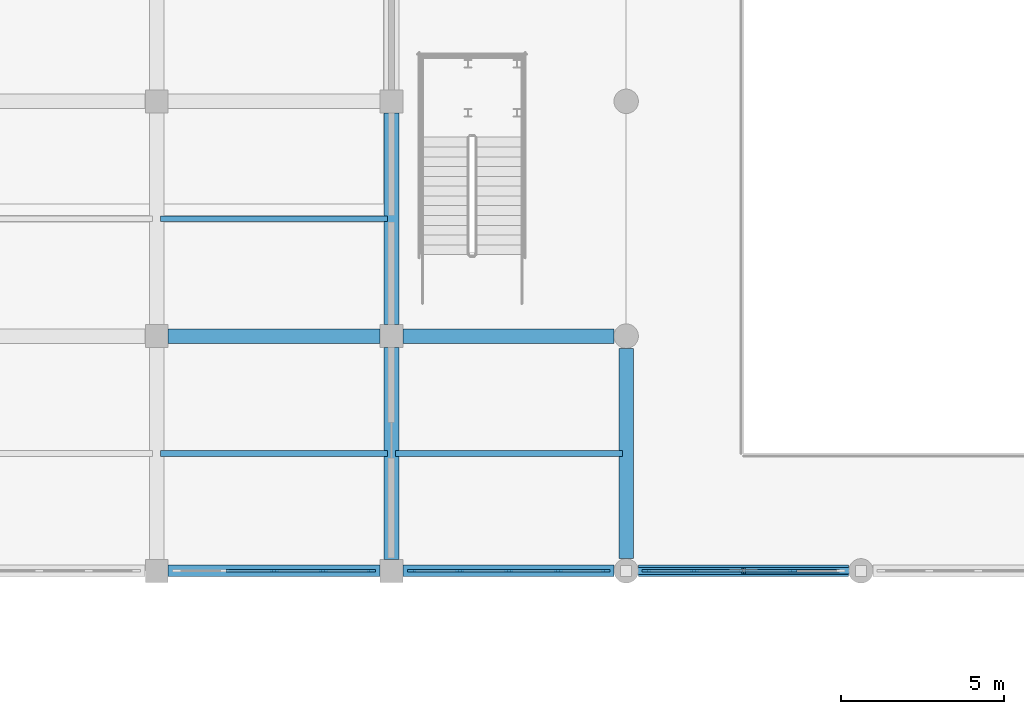
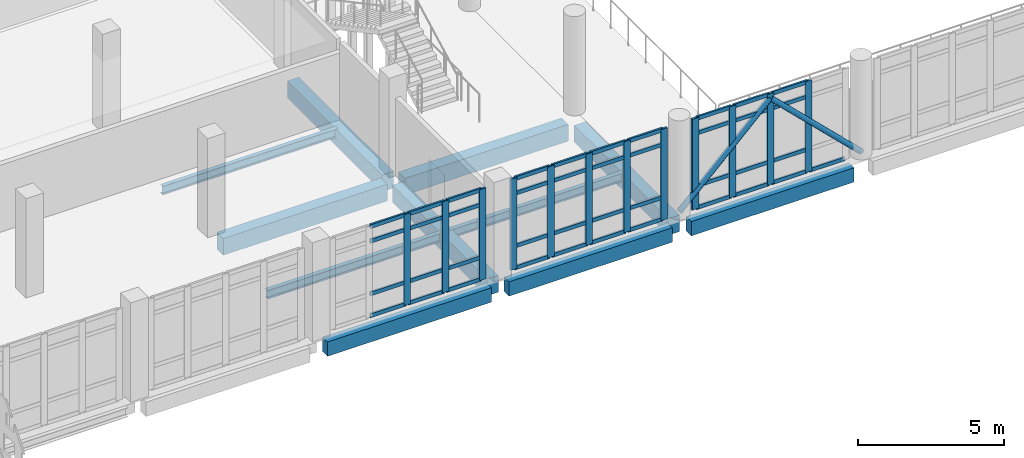
# One storey, part 9 of 57: 55 members, 11 beams, 3 elements without a shape of their own.
"""IFC4 building model written with IfcOpenShell, lengths in metres."""

from ifc_helpers import new_model, si_unit, direction, frame, origin, origin_2d, place, context, subcontext, project, spatial, rectangle, hollow_circle, i_section, extrude, material, layer, layer_set, material_profile, profile_set, type_object, element, aggregate, save


model = new_model("IFC4")

# Units and contexts
model_context = context("Model", 3, precision=1e-05, world=origin(), true_north=direction((0.0, 1.0)))
body_context = subcontext(model_context, "Body", "Model", "MODEL_VIEW")
ifc_project = project(units=[si_unit("LENGTHUNIT", "METRE"), si_unit("AREAUNIT", "SQUARE_METRE"), si_unit("VOLUMEUNIT", "CUBIC_METRE"), si_unit("PLANEANGLEUNIT", "RADIAN"), si_unit("MASSUNIT", "GRAM", prefix="KILO")], contexts=[model_context])

# Site, building, storey
site_placement = place(None, origin())
site = spatial("IfcSite", under=ifc_project, at=site_placement, CompositionType="ELEMENT")
building_placement = place(site_placement, origin())
building = spatial("IfcBuilding", under=site, at=building_placement, Name="Valkovuoma Quantum and Materials Research Institute", CompositionType="ELEMENT")
storey_placement = place(building_placement, frame((0.0, 0.0, 4.800048828125)))
storey = spatial("IfcBuildingStorey", under=building, at=storey_placement, Name="L01", CompositionType="ELEMENT", Elevation=4.800048828125)

# Beams
ifc_material_1 = material(Name="Steel S355J2", Category="steel")
ifc_material_profile_1 = material_profile(ifc_material_1, i_section(OverallWidth=0.169921875, OverallDepth=0.360107421875, WebThickness=0.008056640625, FlangeThickness=0.0126953125, FilletRadius=0.01806640625, at=origin_2d()), Name="Steel S355J2")
ifc_profile_set_1 = profile_set([ifc_material_profile_1], Name="Steel S355J2")
beam_type_1 = type_object("IfcBeamType", Name="Beam-B-JST360", PredefinedType="JOIST", material=ifc_profile_set_1)
for number, where, z_axis, x_axis, name in (
    (1, (28.919921875, 39.60009765625, -0.530029296875), (1.0, 0.0, 0.0), (0.0, 1.0, 0.0), "L01 floor joist 0874"),
    (2, (36.1201171875, 39.60009765625, -0.530029296875), (1.0, 0.0, 0.0), (0.0, 1.0, 0.0), "L01 floor joist 0875"),
    (3, (28.919921875, 46.800048828125, -0.530029296875), (1.0, 0.0, 0.0), (0.0, 1.0, 0.0), "L01 floor joist 0886"),
):
    element("IfcBeam", number, at=place(storey_placement, frame(where, z_axis=z_axis, x_axis=x_axis)), inside=storey, type_object=beam_type_1, Name=name, PredefinedType="JOIST", context=body_context, shape_type="SweptSolid", body=[
        extrude(i_section(OverallWidth=0.169921875, OverallDepth=0.360107421875, WebThickness=0.008056640625, FlangeThickness=0.0126953125, FilletRadius=0.01806640625, at=origin_2d()), origin(), (0.0, 0.0, 1.0), 6.9599609375),
    ])
ifc_material_2 = material(Name="Concrete C40/50", Category="concrete")
ifc_material_profile_2 = material_profile(ifc_material_2, rectangle(XDim=0.449951171875, YDim=0.699951171875, at=origin_2d()), Name="Concrete C40/50")
ifc_profile_set_2 = profile_set([ifc_material_profile_2], Name="Concrete C40/50")
beam_type_2 = type_object("IfcBeamType", Name="Beam-B-RC700", PredefinedType="BEAM", material=ifc_profile_set_2)
beam_1_placement = place(storey_placement, frame((29.14990234375, 43.199951171875, -0.699951171875), z_axis=(1.0, 0.0, 0.0), x_axis=(0.0, 1.0, 0.0)))
element("IfcBeam", 4, at=beam_1_placement, inside=storey, type_object=beam_type_2, Name="L01 beam X-0589", PredefinedType="BEAM", context=body_context, shape_type="SweptSolid", body=[
    extrude(rectangle(XDim=0.449951171875, YDim=0.699951171875, at=origin_2d()), origin(), (0.0, 0.0, 1.0), 6.5),
])
beam_2_placement = place(storey_placement, frame((36.35009765625, 43.199951171875, -0.699951171875), z_axis=(1.0, 0.0, 0.0), x_axis=(0.0, 1.0, 0.0)))
element("IfcBeam", 5, at=beam_2_placement, inside=storey, type_object=beam_type_2, Name="L01 beam X-0590", PredefinedType="BEAM", context=body_context, shape_type="SweptSolid", body=[
    extrude(rectangle(XDim=0.449951171875, YDim=0.699951171875, at=origin_2d()), origin(), (0.0, 0.0, 1.0), 6.474853515625),
])
for number, where, z_axis, x_axis, name in (
    (6, (36.0, 36.35009765625, -0.699951171875), (0.0, 1.0, 0.0), (-1.0, 0.0, 0.0), "L01 beam Y-0751"),
    (7, (36.0, 43.550048828125, -0.699951171875), (0.0, 1.0, 0.0), (-1.0, 0.0, 0.0), "L01 beam Y-0752"),
):
    element("IfcBeam", number, at=place(storey_placement, frame(where, z_axis=z_axis, x_axis=x_axis)), inside=storey, type_object=beam_type_2, Name=name, PredefinedType="BEAM", context=body_context, shape_type="SweptSolid", body=[
        extrude(rectangle(XDim=0.449951171875, YDim=0.699951171875, at=origin_2d()), origin(), (0.0, 0.0, 1.0), 6.5),
    ])
beam_3_placement = place(storey_placement, frame((43.199951171875, 36.375, -0.699951171875), z_axis=(0.0, 1.0, 0.0), x_axis=(-1.0, 0.0, 0.0)))
element("IfcBeam", 8, at=beam_3_placement, inside=storey, type_object=beam_type_2, Name="L01 beam Y-0761", PredefinedType="BEAM", context=body_context, shape_type="SweptSolid", body=[
    extrude(rectangle(XDim=0.449951171875, YDim=0.699951171875, at=origin_2d()), origin(), (0.0, 0.0, 1.0), 6.449951171875),
])
ifc_material_3 = material(Name="Concrete C40/50", Category="concrete")
ifc_material_profile_3 = material_profile(ifc_material_3, rectangle(XDim=0.35009765625, YDim=0.60009765625, at=origin_2d()), Name="Concrete C40/50")
ifc_profile_set_3 = profile_set([ifc_material_profile_3], Name="Concrete C40/50")
beam_type_3 = type_object("IfcBeamType", Name="Beam-B-SPN600", PredefinedType="SPANDREL", material=ifc_profile_set_3)
beam_4_placement = place(storey_placement, frame((29.14990234375, 36.0, -0.650146484375), z_axis=(1.0, 0.0, 0.0), x_axis=(0.0, 1.0, 0.0)))
element("IfcBeam", 9, at=beam_4_placement, inside=storey, type_object=beam_type_3, Name="L01 beam X-0566", PredefinedType="SPANDREL", context=body_context, shape_type="SweptSolid", body=[
    extrude(rectangle(XDim=0.35009765625, YDim=0.60009765625, at=origin_2d()), origin(), (0.0, 0.0, 1.0), 6.5),
])
beam_5_placement = place(storey_placement, frame((36.35009765625, 36.0, -0.650146484375), z_axis=(1.0, 0.0, 0.0), x_axis=(0.0, 1.0, 0.0)))
element("IfcBeam", 10, at=beam_5_placement, inside=storey, type_object=beam_type_3, Name="L01 beam X-0567", PredefinedType="SPANDREL", context=body_context, shape_type="SweptSolid", body=[
    extrude(rectangle(XDim=0.35009765625, YDim=0.60009765625, at=origin_2d()), origin(), (0.0, 0.0, 1.0), 6.474853515625),
])
beam_6_placement = place(storey_placement, frame((43.574951171875, 36.0, -0.650146484375), z_axis=(1.0, 0.0, 0.0), x_axis=(0.0, 1.0, 0.0)))
element("IfcBeam", 11, at=beam_6_placement, inside=storey, type_object=beam_type_3, Name="L01 beam X-0568", PredefinedType="SPANDREL", context=body_context, shape_type="SweptSolid", body=[
    extrude(rectangle(XDim=0.35009765625, YDim=0.60009765625, at=origin_2d()), origin(), (0.0, 0.0, 1.0), 6.449951171875),
])

# Curtain wall, members
ifc_material_4 = material(Name="Thermally broken aluminium and triple low-E glazing", Category="aluminium")
ifc_layer = layer(ifc_material_4, 0.219970703125)
ifc_layer_set = layer_set([ifc_layer], Name="Thermally broken aluminium and triple low-E glazing")
curtain_wall_type = type_object("IfcCurtainWallType", Name="CW-CW-02", PredefinedType="NOTDEFINED", material=ifc_layer_set)
curtain_wall_1_placement = place(storey_placement, origin())
curtain_wall_1 = element("IfcCurtainWall", 12, at=curtain_wall_1_placement, inside=storey, type_object=curtain_wall_type, Name="L01 curtain wall 161", PredefinedType="NOTDEFINED")
ifc_material_5 = material(Name="Anodised aluminium 6060-T66", Category="aluminium")
ifc_material_profile_4 = material_profile(ifc_material_5, rectangle(XDim=0.080078125, YDim=0.260009765625, at=origin_2d()), Name="Anodised aluminium 6060-T66")
ifc_profile_set_4 = profile_set([ifc_material_profile_4], Name="Anodised aluminium 6060-T66")
member_type_1 = type_object("IfcMemberType", Name="CWMull-CWM-03", PredefinedType="MULLION", material=ifc_profile_set_4)
member_1_placement = place(storey_placement, frame((32.39990234375, 36.0, 0.0), z_axis=(0.0, 0.0, 1.0), x_axis=(0.0, 1.0, 0.0)))
member_1 = element("IfcMember", 13, at=member_1_placement, type_object=member_type_1, Name="CW-02 mullion 3", PredefinedType="MULLION", context=body_context, shape_type="SweptSolid", body=[
    extrude(rectangle(XDim=0.080078125, YDim=0.260009765625, at=origin_2d()), origin(), (0.0, 0.0, 1.0), 3.81005859375),
])
member_2_placement = place(storey_placement, frame((33.909912109375, 36.0, 0.0), z_axis=(0.0, 0.0, 1.0), x_axis=(0.0, 1.0, 0.0)))
member_2 = element("IfcMember", 14, at=member_2_placement, type_object=member_type_1, Name="CW-02 mullion 4", PredefinedType="MULLION", context=body_context, shape_type="SweptSolid", body=[
    extrude(rectangle(XDim=0.080078125, YDim=0.260009765625, at=origin_2d()), origin(), (0.0, 0.0, 1.0), 3.81005859375),
])
member_3_placement = place(storey_placement, frame((35.3798828125, 36.0, 0.0), z_axis=(0.0, 0.0, 1.0), x_axis=(0.0, 1.0, 0.0)))
member_3 = element("IfcMember", 15, at=member_3_placement, type_object=member_type_1, Name="CW-02 mullion 5", PredefinedType="MULLION", context=body_context, shape_type="SweptSolid", body=[
    extrude(rectangle(XDim=0.080078125, YDim=0.260009765625, at=origin_2d()), origin(), (0.0, 0.0, 1.0), 3.81005859375),
])

curtain_wall_2_placement = place(storey_placement, origin())
curtain_wall_2 = element("IfcCurtainWall", 16, at=curtain_wall_2_placement, inside=storey, type_object=curtain_wall_type, Name="L01 curtain wall 162", PredefinedType="NOTDEFINED")
member_4_placement = place(storey_placement, frame((36.6201171875, 36.0, 0.0), z_axis=(0.0, 0.0, 1.0), x_axis=(0.0, 1.0, 0.0)))
member_4 = element("IfcMember", 17, at=member_4_placement, type_object=member_type_1, Name="CW-02 mullion 1", PredefinedType="MULLION", context=body_context, shape_type="SweptSolid", body=[
    extrude(rectangle(XDim=0.080078125, YDim=0.260009765625, at=origin_2d()), origin(), (0.0, 0.0, 1.0), 3.81005859375),
])
member_5_placement = place(storey_placement, frame((38.090087890625, 36.0, 0.0), z_axis=(0.0, 0.0, 1.0), x_axis=(0.0, 1.0, 0.0)))
member_5 = element("IfcMember", 18, at=member_5_placement, type_object=member_type_1, Name="CW-02 mullion 2", PredefinedType="MULLION", context=body_context, shape_type="SweptSolid", body=[
    extrude(rectangle(XDim=0.080078125, YDim=0.260009765625, at=origin_2d()), origin(), (0.0, 0.0, 1.0), 3.81005859375),
])
member_6_placement = place(storey_placement, frame((39.60009765625, 36.0, 0.0), z_axis=(0.0, 0.0, 1.0), x_axis=(0.0, 1.0, 0.0)))
member_6 = element("IfcMember", 19, at=member_6_placement, type_object=member_type_1, Name="CW-02 mullion 3", PredefinedType="MULLION", context=body_context, shape_type="SweptSolid", body=[
    extrude(rectangle(XDim=0.080078125, YDim=0.260009765625, at=origin_2d()), origin(), (0.0, 0.0, 1.0), 3.81005859375),
])
member_7_placement = place(storey_placement, frame((41.110107421875, 36.0, 0.0), z_axis=(0.0, 0.0, 1.0), x_axis=(0.0, 1.0, 0.0)))
member_7 = element("IfcMember", 20, at=member_7_placement, type_object=member_type_1, Name="CW-02 mullion 4", PredefinedType="MULLION", context=body_context, shape_type="SweptSolid", body=[
    extrude(rectangle(XDim=0.080078125, YDim=0.260009765625, at=origin_2d()), origin(), (0.0, 0.0, 1.0), 3.81005859375),
])
member_8_placement = place(storey_placement, frame((42.580078125, 36.0, 0.0), z_axis=(0.0, 0.0, 1.0), x_axis=(0.0, 1.0, 0.0)))
member_8 = element("IfcMember", 21, at=member_8_placement, type_object=member_type_1, Name="CW-02 mullion 5", PredefinedType="MULLION", context=body_context, shape_type="SweptSolid", body=[
    extrude(rectangle(XDim=0.080078125, YDim=0.260009765625, at=origin_2d()), origin(), (0.0, 0.0, 1.0), 3.81005859375),
])

curtain_wall_3_placement = place(storey_placement, origin())
curtain_wall_3 = element("IfcCurtainWall", 22, at=curtain_wall_3_placement, inside=storey, type_object=curtain_wall_type, Name="L01 curtain wall 163", PredefinedType="NOTDEFINED")
member_9_placement = place(storey_placement, frame((43.820068359375, 36.0, 0.0), z_axis=(0.0, 0.0, 1.0), x_axis=(0.0, 1.0, 0.0)))
member_9 = element("IfcMember", 23, at=member_9_placement, type_object=member_type_1, Name="CW-02 mullion 1", PredefinedType="MULLION", context=body_context, shape_type="SweptSolid", body=[
    extrude(rectangle(XDim=0.080078125, YDim=0.260009765625, at=origin_2d()), origin(), (0.0, 0.0, 1.0), 3.81005859375),
])
member_10_placement = place(storey_placement, frame((45.2900390625, 36.0, 0.0), z_axis=(0.0, 0.0, 1.0), x_axis=(0.0, 1.0, 0.0)))
member_10 = element("IfcMember", 24, at=member_10_placement, type_object=member_type_1, Name="CW-02 mullion 2", PredefinedType="MULLION", context=body_context, shape_type="SweptSolid", body=[
    extrude(rectangle(XDim=0.080078125, YDim=0.260009765625, at=origin_2d()), origin(), (0.0, 0.0, 1.0), 3.81005859375),
])
member_11_placement = place(storey_placement, frame((46.800048828125, 36.0, 0.0), z_axis=(0.0, 0.0, 1.0), x_axis=(0.0, 1.0, 0.0)))
member_11 = element("IfcMember", 25, at=member_11_placement, type_object=member_type_1, Name="CW-02 mullion 3", PredefinedType="MULLION", context=body_context, shape_type="SweptSolid", body=[
    extrude(rectangle(XDim=0.080078125, YDim=0.260009765625, at=origin_2d()), origin(), (0.0, 0.0, 1.0), 3.81005859375),
])
member_12_placement = place(storey_placement, frame((48.31005859375, 36.0, 0.0), z_axis=(0.0, 0.0, 1.0), x_axis=(0.0, 1.0, 0.0)))
member_12 = element("IfcMember", 26, at=member_12_placement, type_object=member_type_1, Name="CW-02 mullion 4", PredefinedType="MULLION", context=body_context, shape_type="SweptSolid", body=[
    extrude(rectangle(XDim=0.080078125, YDim=0.260009765625, at=origin_2d()), origin(), (0.0, 0.0, 1.0), 3.81005859375),
])

# Member
ifc_material_6 = material(Name="Anodised aluminium 6060-T66", Category="aluminium")
ifc_material_profile_5 = material_profile(ifc_material_6, rectangle(XDim=0.074951171875, YDim=0.159912109375, at=origin_2d()), Name="Anodised aluminium 6060-T66")
ifc_profile_set_5 = profile_set([ifc_material_profile_5], Name="Anodised aluminium 6060-T66")
member_type_2 = type_object("IfcMemberType", Name="CWTran-CWT-02", PredefinedType="USERDEFINED", material=ifc_profile_set_5)
member_13_placement = place(storey_placement, frame((30.929931640625, 36.0, 0.037353515625), z_axis=(1.0, 0.0, 0.0), x_axis=(0.0, 1.0, 0.0)))
member_13 = element("IfcMember", 27, at=member_13_placement, type_object=member_type_2, Name="CW-02 transom 2.1", ObjectType="TRANSOM", PredefinedType="USERDEFINED", context=body_context, shape_type="SweptSolid", body=[
    extrude(rectangle(XDim=0.074951171875, YDim=0.159912109375, at=origin_2d()), origin(), (0.0, 0.0, 1.0), 1.43017578125),
])

member_14_placement = place(storey_placement, frame((30.929931640625, 36.0, 0.949951171875), z_axis=(1.0, 0.0, 0.0), x_axis=(0.0, 1.0, 0.0)))
member_14 = element("IfcMember", 28, at=member_14_placement, type_object=member_type_2, Name="CW-02 transom 2.2", ObjectType="TRANSOM", PredefinedType="USERDEFINED", context=body_context, shape_type="SweptSolid", body=[
    extrude(rectangle(XDim=0.074951171875, YDim=0.159912109375, at=origin_2d()), origin(), (0.0, 0.0, 1.0), 1.43017578125),
])

member_15_placement = place(storey_placement, frame((30.929931640625, 36.0, 3.159912109375), z_axis=(1.0, 0.0, 0.0), x_axis=(0.0, 1.0, 0.0)))
member_15 = element("IfcMember", 29, at=member_15_placement, type_object=member_type_2, Name="CW-02 transom 2.3", ObjectType="TRANSOM", PredefinedType="USERDEFINED", context=body_context, shape_type="SweptSolid", body=[
    extrude(rectangle(XDim=0.074951171875, YDim=0.159912109375, at=origin_2d()), origin(), (0.0, 0.0, 1.0), 1.43017578125),
])

member_16_placement = place(storey_placement, frame((30.929931640625, 36.0, 3.7724609375), z_axis=(1.0, 0.0, 0.0), x_axis=(0.0, 1.0, 0.0)))
member_16 = element("IfcMember", 30, at=member_16_placement, type_object=member_type_2, Name="CW-02 transom 2.4", ObjectType="TRANSOM", PredefinedType="USERDEFINED", context=body_context, shape_type="SweptSolid", body=[
    extrude(rectangle(XDim=0.074951171875, YDim=0.159912109375, at=origin_2d()), origin(), (0.0, 0.0, 1.0), 1.43017578125),
])

member_17_placement = place(storey_placement, frame((32.43994140625, 36.0, 0.037353515625), z_axis=(1.0, 0.0, 0.0), x_axis=(0.0, 1.0, 0.0)))
member_17 = element("IfcMember", 31, at=member_17_placement, type_object=member_type_2, Name="CW-02 transom 3.1", ObjectType="TRANSOM", PredefinedType="USERDEFINED", context=body_context, shape_type="SweptSolid", body=[
    extrude(rectangle(XDim=0.074951171875, YDim=0.159912109375, at=origin_2d()), origin(), (0.0, 0.0, 1.0), 1.43017578125),
])

member_18_placement = place(storey_placement, frame((32.43994140625, 36.0, 0.949951171875), z_axis=(1.0, 0.0, 0.0), x_axis=(0.0, 1.0, 0.0)))
member_18 = element("IfcMember", 32, at=member_18_placement, type_object=member_type_2, Name="CW-02 transom 3.2", ObjectType="TRANSOM", PredefinedType="USERDEFINED", context=body_context, shape_type="SweptSolid", body=[
    extrude(rectangle(XDim=0.074951171875, YDim=0.159912109375, at=origin_2d()), origin(), (0.0, 0.0, 1.0), 1.43017578125),
])

member_19_placement = place(storey_placement, frame((32.43994140625, 36.0, 3.159912109375), z_axis=(1.0, 0.0, 0.0), x_axis=(0.0, 1.0, 0.0)))
member_19 = element("IfcMember", 33, at=member_19_placement, type_object=member_type_2, Name="CW-02 transom 3.3", ObjectType="TRANSOM", PredefinedType="USERDEFINED", context=body_context, shape_type="SweptSolid", body=[
    extrude(rectangle(XDim=0.074951171875, YDim=0.159912109375, at=origin_2d()), origin(), (0.0, 0.0, 1.0), 1.43017578125),
])

member_20_placement = place(storey_placement, frame((32.43994140625, 36.0, 3.7724609375), z_axis=(1.0, 0.0, 0.0), x_axis=(0.0, 1.0, 0.0)))
member_20 = element("IfcMember", 34, at=member_20_placement, type_object=member_type_2, Name="CW-02 transom 3.4", ObjectType="TRANSOM", PredefinedType="USERDEFINED", context=body_context, shape_type="SweptSolid", body=[
    extrude(rectangle(XDim=0.074951171875, YDim=0.159912109375, at=origin_2d()), origin(), (0.0, 0.0, 1.0), 1.43017578125),
])

member_21_placement = place(storey_placement, frame((33.949951171875, 36.0, 0.037353515625), z_axis=(1.0, 0.0, 0.0), x_axis=(0.0, 1.0, 0.0)))
member_21 = element("IfcMember", 35, at=member_21_placement, type_object=member_type_2, Name="CW-02 transom 4.1", ObjectType="TRANSOM", PredefinedType="USERDEFINED", context=body_context, shape_type="SweptSolid", body=[
    extrude(rectangle(XDim=0.074951171875, YDim=0.159912109375, at=origin_2d()), origin(), (0.0, 0.0, 1.0), 1.39013671875),
])

member_22_placement = place(storey_placement, frame((33.949951171875, 36.0, 0.949951171875), z_axis=(1.0, 0.0, 0.0), x_axis=(0.0, 1.0, 0.0)))
member_22 = element("IfcMember", 36, at=member_22_placement, type_object=member_type_2, Name="CW-02 transom 4.2", ObjectType="TRANSOM", PredefinedType="USERDEFINED", context=body_context, shape_type="SweptSolid", body=[
    extrude(rectangle(XDim=0.074951171875, YDim=0.159912109375, at=origin_2d()), origin(), (0.0, 0.0, 1.0), 1.39013671875),
])

member_23_placement = place(storey_placement, frame((33.949951171875, 36.0, 3.159912109375), z_axis=(1.0, 0.0, 0.0), x_axis=(0.0, 1.0, 0.0)))
member_23 = element("IfcMember", 37, at=member_23_placement, type_object=member_type_2, Name="CW-02 transom 4.3", ObjectType="TRANSOM", PredefinedType="USERDEFINED", context=body_context, shape_type="SweptSolid", body=[
    extrude(rectangle(XDim=0.074951171875, YDim=0.159912109375, at=origin_2d()), origin(), (0.0, 0.0, 1.0), 1.39013671875),
])

member_24_placement = place(storey_placement, frame((33.949951171875, 36.0, 3.7724609375), z_axis=(1.0, 0.0, 0.0), x_axis=(0.0, 1.0, 0.0)))
member_24 = element("IfcMember", 38, at=member_24_placement, type_object=member_type_2, Name="CW-02 transom 4.4", ObjectType="TRANSOM", PredefinedType="USERDEFINED", context=body_context, shape_type="SweptSolid", body=[
    extrude(rectangle(XDim=0.074951171875, YDim=0.159912109375, at=origin_2d()), origin(), (0.0, 0.0, 1.0), 1.39013671875),
])

aggregate(curtain_wall_1, [member_1, member_2, member_3, member_13, member_14, member_15, member_16, member_17, member_18, member_19, member_20, member_21, member_22, member_23, member_24])

member_25_placement = place(storey_placement, frame((36.659912109375, 36.0, 0.037353515625), z_axis=(1.0, 0.0, 0.0), x_axis=(0.0, 1.0, 0.0)))
member_25 = element("IfcMember", 39, at=member_25_placement, type_object=member_type_2, Name="CW-02 transom 1.1", ObjectType="TRANSOM", PredefinedType="USERDEFINED", context=body_context, shape_type="SweptSolid", body=[
    extrude(rectangle(XDim=0.074951171875, YDim=0.159912109375, at=origin_2d()), origin(), (0.0, 0.0, 1.0), 1.39013671875),
])

member_26_placement = place(storey_placement, frame((36.659912109375, 36.0, 0.949951171875), z_axis=(1.0, 0.0, 0.0), x_axis=(0.0, 1.0, 0.0)))
member_26 = element("IfcMember", 40, at=member_26_placement, type_object=member_type_2, Name="CW-02 transom 1.2", ObjectType="TRANSOM", PredefinedType="USERDEFINED", context=body_context, shape_type="SweptSolid", body=[
    extrude(rectangle(XDim=0.074951171875, YDim=0.159912109375, at=origin_2d()), origin(), (0.0, 0.0, 1.0), 1.39013671875),
])

member_27_placement = place(storey_placement, frame((36.659912109375, 36.0, 3.159912109375), z_axis=(1.0, 0.0, 0.0), x_axis=(0.0, 1.0, 0.0)))
member_27 = element("IfcMember", 41, at=member_27_placement, type_object=member_type_2, Name="CW-02 transom 1.3", ObjectType="TRANSOM", PredefinedType="USERDEFINED", context=body_context, shape_type="SweptSolid", body=[
    extrude(rectangle(XDim=0.074951171875, YDim=0.159912109375, at=origin_2d()), origin(), (0.0, 0.0, 1.0), 1.39013671875),
])

member_28_placement = place(storey_placement, frame((36.659912109375, 36.0, 3.7724609375), z_axis=(1.0, 0.0, 0.0), x_axis=(0.0, 1.0, 0.0)))
member_28 = element("IfcMember", 42, at=member_28_placement, type_object=member_type_2, Name="CW-02 transom 1.4", ObjectType="TRANSOM", PredefinedType="USERDEFINED", context=body_context, shape_type="SweptSolid", body=[
    extrude(rectangle(XDim=0.074951171875, YDim=0.159912109375, at=origin_2d()), origin(), (0.0, 0.0, 1.0), 1.39013671875),
])

member_29_placement = place(storey_placement, frame((38.1298828125, 36.0, 0.037353515625), z_axis=(1.0, 0.0, 0.0), x_axis=(0.0, 1.0, 0.0)))
member_29 = element("IfcMember", 43, at=member_29_placement, type_object=member_type_2, Name="CW-02 transom 2.1", ObjectType="TRANSOM", PredefinedType="USERDEFINED", context=body_context, shape_type="SweptSolid", body=[
    extrude(rectangle(XDim=0.074951171875, YDim=0.159912109375, at=origin_2d()), origin(), (0.0, 0.0, 1.0), 1.43017578125),
])

member_30_placement = place(storey_placement, frame((38.1298828125, 36.0, 0.949951171875), z_axis=(1.0, 0.0, 0.0), x_axis=(0.0, 1.0, 0.0)))
member_30 = element("IfcMember", 44, at=member_30_placement, type_object=member_type_2, Name="CW-02 transom 2.2", ObjectType="TRANSOM", PredefinedType="USERDEFINED", context=body_context, shape_type="SweptSolid", body=[
    extrude(rectangle(XDim=0.074951171875, YDim=0.159912109375, at=origin_2d()), origin(), (0.0, 0.0, 1.0), 1.43017578125),
])

member_31_placement = place(storey_placement, frame((38.1298828125, 36.0, 3.159912109375), z_axis=(1.0, 0.0, 0.0), x_axis=(0.0, 1.0, 0.0)))
member_31 = element("IfcMember", 45, at=member_31_placement, type_object=member_type_2, Name="CW-02 transom 2.3", ObjectType="TRANSOM", PredefinedType="USERDEFINED", context=body_context, shape_type="SweptSolid", body=[
    extrude(rectangle(XDim=0.074951171875, YDim=0.159912109375, at=origin_2d()), origin(), (0.0, 0.0, 1.0), 1.43017578125),
])

member_32_placement = place(storey_placement, frame((38.1298828125, 36.0, 3.7724609375), z_axis=(1.0, 0.0, 0.0), x_axis=(0.0, 1.0, 0.0)))
member_32 = element("IfcMember", 46, at=member_32_placement, type_object=member_type_2, Name="CW-02 transom 2.4", ObjectType="TRANSOM", PredefinedType="USERDEFINED", context=body_context, shape_type="SweptSolid", body=[
    extrude(rectangle(XDim=0.074951171875, YDim=0.159912109375, at=origin_2d()), origin(), (0.0, 0.0, 1.0), 1.43017578125),
])

member_33_placement = place(storey_placement, frame((39.639892578125, 36.0, 0.037353515625), z_axis=(1.0, 0.0, 0.0), x_axis=(0.0, 1.0, 0.0)))
member_33 = element("IfcMember", 47, at=member_33_placement, type_object=member_type_2, Name="CW-02 transom 3.1", ObjectType="TRANSOM", PredefinedType="USERDEFINED", context=body_context, shape_type="SweptSolid", body=[
    extrude(rectangle(XDim=0.074951171875, YDim=0.159912109375, at=origin_2d()), origin(), (0.0, 0.0, 1.0), 1.43017578125),
])

member_34_placement = place(storey_placement, frame((39.639892578125, 36.0, 0.949951171875), z_axis=(1.0, 0.0, 0.0), x_axis=(0.0, 1.0, 0.0)))
member_34 = element("IfcMember", 48, at=member_34_placement, type_object=member_type_2, Name="CW-02 transom 3.2", ObjectType="TRANSOM", PredefinedType="USERDEFINED", context=body_context, shape_type="SweptSolid", body=[
    extrude(rectangle(XDim=0.074951171875, YDim=0.159912109375, at=origin_2d()), origin(), (0.0, 0.0, 1.0), 1.43017578125),
])

member_35_placement = place(storey_placement, frame((39.639892578125, 36.0, 3.159912109375), z_axis=(1.0, 0.0, 0.0), x_axis=(0.0, 1.0, 0.0)))
member_35 = element("IfcMember", 49, at=member_35_placement, type_object=member_type_2, Name="CW-02 transom 3.3", ObjectType="TRANSOM", PredefinedType="USERDEFINED", context=body_context, shape_type="SweptSolid", body=[
    extrude(rectangle(XDim=0.074951171875, YDim=0.159912109375, at=origin_2d()), origin(), (0.0, 0.0, 1.0), 1.43017578125),
])

member_36_placement = place(storey_placement, frame((39.639892578125, 36.0, 3.7724609375), z_axis=(1.0, 0.0, 0.0), x_axis=(0.0, 1.0, 0.0)))
member_36 = element("IfcMember", 50, at=member_36_placement, type_object=member_type_2, Name="CW-02 transom 3.4", ObjectType="TRANSOM", PredefinedType="USERDEFINED", context=body_context, shape_type="SweptSolid", body=[
    extrude(rectangle(XDim=0.074951171875, YDim=0.159912109375, at=origin_2d()), origin(), (0.0, 0.0, 1.0), 1.43017578125),
])

member_37_placement = place(storey_placement, frame((41.14990234375, 36.0, 0.037353515625), z_axis=(1.0, 0.0, 0.0), x_axis=(0.0, 1.0, 0.0)))
member_37 = element("IfcMember", 51, at=member_37_placement, type_object=member_type_2, Name="CW-02 transom 4.1", ObjectType="TRANSOM", PredefinedType="USERDEFINED", context=body_context, shape_type="SweptSolid", body=[
    extrude(rectangle(XDim=0.074951171875, YDim=0.159912109375, at=origin_2d()), origin(), (0.0, 0.0, 1.0), 1.39013671875),
])

member_38_placement = place(storey_placement, frame((41.14990234375, 36.0, 0.949951171875), z_axis=(1.0, 0.0, 0.0), x_axis=(0.0, 1.0, 0.0)))
member_38 = element("IfcMember", 52, at=member_38_placement, type_object=member_type_2, Name="CW-02 transom 4.2", ObjectType="TRANSOM", PredefinedType="USERDEFINED", context=body_context, shape_type="SweptSolid", body=[
    extrude(rectangle(XDim=0.074951171875, YDim=0.159912109375, at=origin_2d()), origin(), (0.0, 0.0, 1.0), 1.39013671875),
])

member_39_placement = place(storey_placement, frame((41.14990234375, 36.0, 3.159912109375), z_axis=(1.0, 0.0, 0.0), x_axis=(0.0, 1.0, 0.0)))
member_39 = element("IfcMember", 53, at=member_39_placement, type_object=member_type_2, Name="CW-02 transom 4.3", ObjectType="TRANSOM", PredefinedType="USERDEFINED", context=body_context, shape_type="SweptSolid", body=[
    extrude(rectangle(XDim=0.074951171875, YDim=0.159912109375, at=origin_2d()), origin(), (0.0, 0.0, 1.0), 1.39013671875),
])

member_40_placement = place(storey_placement, frame((41.14990234375, 36.0, 3.7724609375), z_axis=(1.0, 0.0, 0.0), x_axis=(0.0, 1.0, 0.0)))
member_40 = element("IfcMember", 54, at=member_40_placement, type_object=member_type_2, Name="CW-02 transom 4.4", ObjectType="TRANSOM", PredefinedType="USERDEFINED", context=body_context, shape_type="SweptSolid", body=[
    extrude(rectangle(XDim=0.074951171875, YDim=0.159912109375, at=origin_2d()), origin(), (0.0, 0.0, 1.0), 1.39013671875),
])

aggregate(curtain_wall_2, [member_4, member_5, member_6, member_7, member_8, member_25, member_26, member_27, member_28, member_29, member_30, member_31, member_32, member_33, member_34, member_35, member_36, member_37, member_38, member_39, member_40])

member_41_placement = place(storey_placement, frame((43.860107421875, 36.0, 0.037353515625), z_axis=(1.0, 0.0, 0.0), x_axis=(0.0, 1.0, 0.0)))
member_41 = element("IfcMember", 55, at=member_41_placement, type_object=member_type_2, Name="CW-02 transom 1.1", ObjectType="TRANSOM", PredefinedType="USERDEFINED", context=body_context, shape_type="SweptSolid", body=[
    extrude(rectangle(XDim=0.074951171875, YDim=0.159912109375, at=origin_2d()), origin(), (0.0, 0.0, 1.0), 1.389892578125),
])

member_42_placement = place(storey_placement, frame((43.860107421875, 36.0, 0.949951171875), z_axis=(1.0, 0.0, 0.0), x_axis=(0.0, 1.0, 0.0)))
member_42 = element("IfcMember", 56, at=member_42_placement, type_object=member_type_2, Name="CW-02 transom 1.2", ObjectType="TRANSOM", PredefinedType="USERDEFINED", context=body_context, shape_type="SweptSolid", body=[
    extrude(rectangle(XDim=0.074951171875, YDim=0.159912109375, at=origin_2d()), origin(), (0.0, 0.0, 1.0), 1.389892578125),
])

member_43_placement = place(storey_placement, frame((43.860107421875, 36.0, 3.159912109375), z_axis=(1.0, 0.0, 0.0), x_axis=(0.0, 1.0, 0.0)))
member_43 = element("IfcMember", 57, at=member_43_placement, type_object=member_type_2, Name="CW-02 transom 1.3", ObjectType="TRANSOM", PredefinedType="USERDEFINED", context=body_context, shape_type="SweptSolid", body=[
    extrude(rectangle(XDim=0.074951171875, YDim=0.159912109375, at=origin_2d()), origin(), (0.0, 0.0, 1.0), 1.389892578125),
])

member_44_placement = place(storey_placement, frame((43.860107421875, 36.0, 3.7724609375), z_axis=(1.0, 0.0, 0.0), x_axis=(0.0, 1.0, 0.0)))
member_44 = element("IfcMember", 58, at=member_44_placement, type_object=member_type_2, Name="CW-02 transom 1.4", ObjectType="TRANSOM", PredefinedType="USERDEFINED", context=body_context, shape_type="SweptSolid", body=[
    extrude(rectangle(XDim=0.074951171875, YDim=0.159912109375, at=origin_2d()), origin(), (0.0, 0.0, 1.0), 1.389892578125),
])

member_45_placement = place(storey_placement, frame((45.330078125, 36.0, 0.037353515625), z_axis=(1.0, 0.0, 0.0), x_axis=(0.0, 1.0, 0.0)))
member_45 = element("IfcMember", 59, at=member_45_placement, type_object=member_type_2, Name="CW-02 transom 2.1", ObjectType="TRANSOM", PredefinedType="USERDEFINED", context=body_context, shape_type="SweptSolid", body=[
    extrude(rectangle(XDim=0.074951171875, YDim=0.159912109375, at=origin_2d()), origin(), (0.0, 0.0, 1.0), 1.429931640625),
])

member_46_placement = place(storey_placement, frame((45.330078125, 36.0, 0.949951171875), z_axis=(1.0, 0.0, 0.0), x_axis=(0.0, 1.0, 0.0)))
member_46 = element("IfcMember", 60, at=member_46_placement, type_object=member_type_2, Name="CW-02 transom 2.2", ObjectType="TRANSOM", PredefinedType="USERDEFINED", context=body_context, shape_type="SweptSolid", body=[
    extrude(rectangle(XDim=0.074951171875, YDim=0.159912109375, at=origin_2d()), origin(), (0.0, 0.0, 1.0), 1.429931640625),
])

member_47_placement = place(storey_placement, frame((45.330078125, 36.0, 3.159912109375), z_axis=(1.0, 0.0, 0.0), x_axis=(0.0, 1.0, 0.0)))
member_47 = element("IfcMember", 61, at=member_47_placement, type_object=member_type_2, Name="CW-02 transom 2.3", ObjectType="TRANSOM", PredefinedType="USERDEFINED", context=body_context, shape_type="SweptSolid", body=[
    extrude(rectangle(XDim=0.074951171875, YDim=0.159912109375, at=origin_2d()), origin(), (0.0, 0.0, 1.0), 1.429931640625),
])

member_48_placement = place(storey_placement, frame((45.330078125, 36.0, 3.7724609375), z_axis=(1.0, 0.0, 0.0), x_axis=(0.0, 1.0, 0.0)))
member_48 = element("IfcMember", 62, at=member_48_placement, type_object=member_type_2, Name="CW-02 transom 2.4", ObjectType="TRANSOM", PredefinedType="USERDEFINED", context=body_context, shape_type="SweptSolid", body=[
    extrude(rectangle(XDim=0.074951171875, YDim=0.159912109375, at=origin_2d()), origin(), (0.0, 0.0, 1.0), 1.429931640625),
])

member_49_placement = place(storey_placement, frame((46.840087890625, 36.0, 0.037353515625), z_axis=(1.0, 0.0, 0.0), x_axis=(0.0, 1.0, 0.0)))
member_49 = element("IfcMember", 63, at=member_49_placement, type_object=member_type_2, Name="CW-02 transom 3.1", ObjectType="TRANSOM", PredefinedType="USERDEFINED", context=body_context, shape_type="SweptSolid", body=[
    extrude(rectangle(XDim=0.074951171875, YDim=0.159912109375, at=origin_2d()), origin(), (0.0, 0.0, 1.0), 1.429931640625),
])

member_50_placement = place(storey_placement, frame((46.840087890625, 36.0, 0.949951171875), z_axis=(1.0, 0.0, 0.0), x_axis=(0.0, 1.0, 0.0)))
member_50 = element("IfcMember", 64, at=member_50_placement, type_object=member_type_2, Name="CW-02 transom 3.2", ObjectType="TRANSOM", PredefinedType="USERDEFINED", context=body_context, shape_type="SweptSolid", body=[
    extrude(rectangle(XDim=0.074951171875, YDim=0.159912109375, at=origin_2d()), origin(), (0.0, 0.0, 1.0), 1.429931640625),
])

member_51_placement = place(storey_placement, frame((46.840087890625, 36.0, 3.159912109375), z_axis=(1.0, 0.0, 0.0), x_axis=(0.0, 1.0, 0.0)))
member_51 = element("IfcMember", 65, at=member_51_placement, type_object=member_type_2, Name="CW-02 transom 3.3", ObjectType="TRANSOM", PredefinedType="USERDEFINED", context=body_context, shape_type="SweptSolid", body=[
    extrude(rectangle(XDim=0.074951171875, YDim=0.159912109375, at=origin_2d()), origin(), (0.0, 0.0, 1.0), 1.429931640625),
])

member_52_placement = place(storey_placement, frame((46.840087890625, 36.0, 3.7724609375), z_axis=(1.0, 0.0, 0.0), x_axis=(0.0, 1.0, 0.0)))
member_52 = element("IfcMember", 66, at=member_52_placement, type_object=member_type_2, Name="CW-02 transom 3.4", ObjectType="TRANSOM", PredefinedType="USERDEFINED", context=body_context, shape_type="SweptSolid", body=[
    extrude(rectangle(XDim=0.074951171875, YDim=0.159912109375, at=origin_2d()), origin(), (0.0, 0.0, 1.0), 1.429931640625),
])

member_53_placement = place(storey_placement, frame((48.35009765625, 36.0, 0.037353515625), z_axis=(1.0, 0.0, 0.0), x_axis=(0.0, 1.0, 0.0)))
member_53 = element("IfcMember", 67, at=member_53_placement, type_object=member_type_2, Name="CW-02 transom 4.1", ObjectType="TRANSOM", PredefinedType="USERDEFINED", context=body_context, shape_type="SweptSolid", body=[
    extrude(rectangle(XDim=0.074951171875, YDim=0.159912109375, at=origin_2d()), origin(), (0.0, 0.0, 1.0), 1.389892578125),
])

aggregate(curtain_wall_3, [member_9, member_10, member_11, member_12, member_41, member_42, member_43, member_44, member_45, member_46, member_47, member_48, member_49, member_50, member_51, member_52, member_53])

# Members
ifc_material_7 = material(Name="Steel S355J2H", Category="steel")
ifc_material_profile_6 = material_profile(ifc_material_7, hollow_circle(Radius=0.109619140625, WallThickness=0.010009765625, at=origin_2d()), Name="Steel S355J2H")
ifc_profile_set_6 = profile_set([ifc_material_profile_6], Name="Steel S355J2H")
member_type_3 = type_object("IfcMemberType", Name="Mem-M-BRC219", PredefinedType="BRACE", material=ifc_profile_set_6)
member_54_placement = place(storey_placement, frame((43.199951171875, 36.0, 0.099853515625), z_axis=(0.716008634166, 0.0, 0.698091423668), x_axis=(0.0, 1.0, 0.0)))
element("IfcMember", 68, at=member_54_placement, inside=storey, type_object=member_type_3, Name="L01 chevron wind brace 02A", PredefinedType="BRACE", context=body_context, shape_type="SweptSolid", body=[
    extrude(hollow_circle(Radius=0.109619140625, WallThickness=0.010009765625, at=origin_2d()), origin(), (0.0, 0.0, 1.0), 5.028076171875),
])
member_55_placement = place(storey_placement, frame((50.39990234375, 36.0, 0.099853515625), z_axis=(-0.715984969996, 0.0, 0.69811569438), x_axis=(0.0, -1.0, 0.0)))
element("IfcMember", 69, at=member_55_placement, inside=storey, type_object=member_type_3, Name="L01 chevron wind brace 02B", PredefinedType="BRACE", context=body_context, shape_type="SweptSolid", body=[
    extrude(hollow_circle(Radius=0.109619140625, WallThickness=0.010009765625, at=origin_2d()), origin(), (0.0, 0.0, 1.0), 5.02783203125),
])

save(model, "model.ifc")
